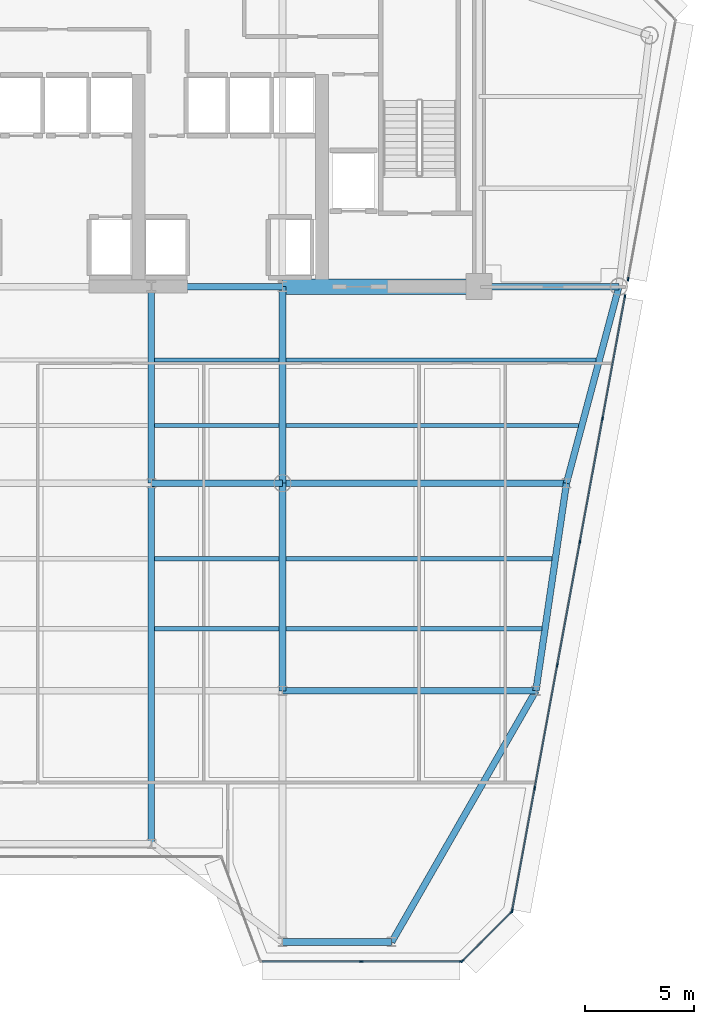
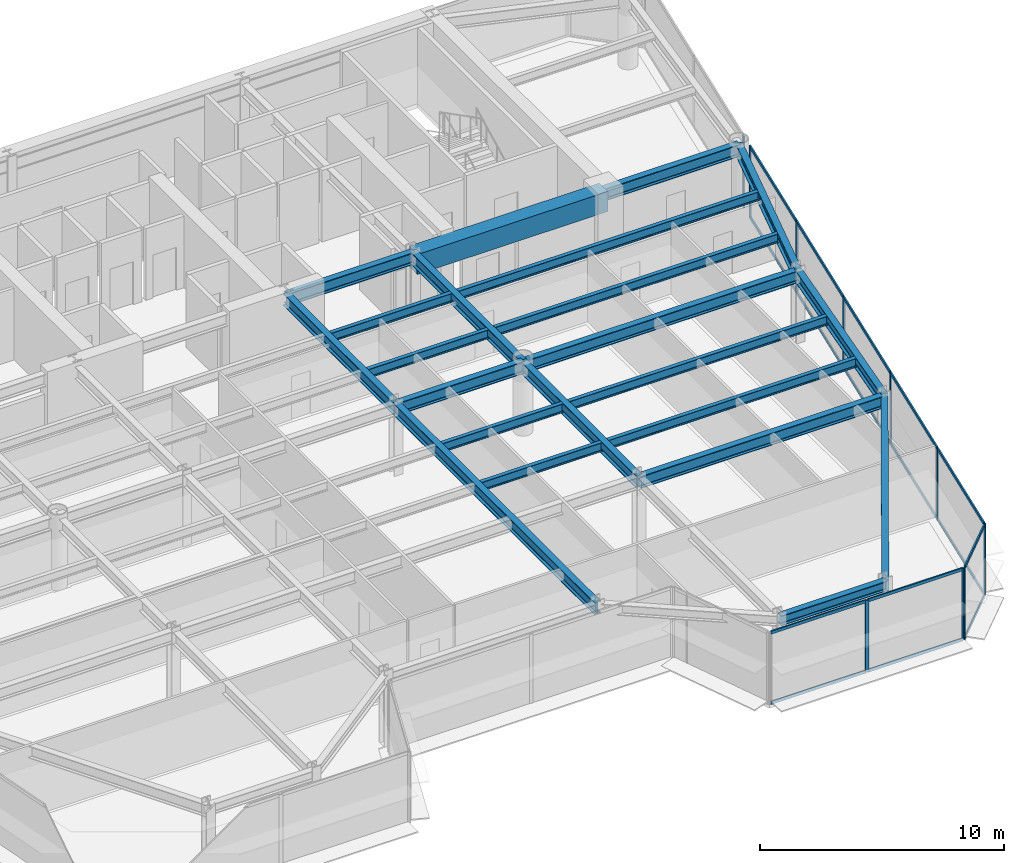
# One storey, part 6 of 16: 27 members, 22 beams, 4 elements without a shape of their own.
"""IFC4 building model written with IfcOpenShell, lengths in metres."""

from ifc_helpers import new_model, si_unit, direction, frame, origin, origin_2d, place, context, subcontext, project, spatial, rectangle, i_section, extrude, source, transform, mapped, material, layer, layer_set, material_profile, profile_set, type_object, element, aggregate, save


model = new_model("IFC4")

# Units and contexts
model_context = context("Model", 3, precision=1e-05, world=origin(), true_north=direction((0.0, 1.0)))
body_context = subcontext(model_context, "Body", "Model", "MODEL_VIEW")
ifc_project = project(units=[si_unit("LENGTHUNIT", "METRE"), si_unit("AREAUNIT", "SQUARE_METRE"), si_unit("VOLUMEUNIT", "CUBIC_METRE"), si_unit("PLANEANGLEUNIT", "RADIAN"), si_unit("MASSUNIT", "GRAM", prefix="KILO")], contexts=[model_context])

# Site, building, storey
site_placement = place(None, origin())
site = spatial("IfcSite", under=ifc_project, at=site_placement, CompositionType="ELEMENT")
building_placement = place(site_placement, origin())
building = spatial("IfcBuilding", under=site, at=building_placement, Name="Vaeldorn Concourse Tower", CompositionType="ELEMENT")
storey_placement = place(building_placement, frame((0.0, 0.0, 184.199951171875)))
storey = spatial("IfcBuildingStorey", under=building, at=storey_placement, Name="L47", CompositionType="ELEMENT", Elevation=184.199951171875)

# Beams
ifc_material_1 = material(Name="Concrete C50/60", Category="concrete")
ifc_material_profile_1 = material_profile(ifc_material_1, rectangle(XDim=0.699951171875, YDim=1.0, at=origin_2d()), Name="RC 700x1000")
ifc_profile_set_1 = profile_set([ifc_material_profile_1], Name="Concrete C50/60")
beam_type_1 = type_object("IfcBeamType", Name="BM-CB-RC700", PredefinedType="BEAM", material=ifc_profile_set_1)
shared_shape_1 = source(origin(), body_context, "Body", "SweptSolid", [
    extrude(rectangle(XDim=0.699951171875, YDim=1.0, at=origin_2d()), origin(), (0.0, 0.0, 1.0), 9.0),
])
beam_1_placement = place(storey_placement, frame((45.0, 36.5, 3.080078125), z_axis=(1.0, 0.0, 0.0), x_axis=(0.0, 1.0, 0.0)))
element("IfcBeam", 1, at=beam_1_placement, inside=storey, type_object=beam_type_1, Name="Core Coupling Beam L47-2", PredefinedType="BEAM", context=body_context, shape_type="MappedRepresentation", body=[
    mapped(shared_shape_1, transform((0.0, 0.0, 0.0), scale=1.0)),
])
ifc_material_2 = material(Name="Steel S355", Category="steel")
ifc_material_profile_2 = material_profile(ifc_material_2, i_section(OverallWidth=0.300048828125, OverallDepth=0.5, WebThickness=0.014404296875, FlangeThickness=0.028076171875, FilletRadius=0.027099609375, at=origin_2d()), Name="HEB 500")
ifc_profile_set_2 = profile_set([ifc_material_profile_2], Name="Steel S355")
beam_type_2 = type_object("IfcBeamType", Name="BM-SP-HEB500", PredefinedType="SPANDREL", material=ifc_profile_set_2)
shared_shape_2 = source(origin(), body_context, "Body", "SweptSolid", [
    extrude(i_section(OverallWidth=0.300048828125, OverallDepth=0.5, WebThickness=0.014404296875, FlangeThickness=0.028076171875, FilletRadius=0.027099609375, at=origin_2d()), origin(), (0.0, 0.0, 1.0), 5.0),
])
beam_2_placement = place(storey_placement, frame((45.0, 6.5, 3.330078125), z_axis=(1.0, 0.0, 0.0), x_axis=(0.0, 1.0, 0.0)))
element("IfcBeam", 2, at=beam_2_placement, inside=storey, type_object=beam_type_2, Name="Beam BM-L47-C-SF5-C-SF6", PredefinedType="SPANDREL", context=body_context, shape_type="MappedRepresentation", body=[
    mapped(shared_shape_2, transform((0.0, 0.0, 0.0), scale=1.0)),
])
ifc_material_profile_3 = material_profile(ifc_material_2, i_section(OverallWidth=0.18994140625, OverallDepth=0.449951171875, WebThickness=0.009521484375, FlangeThickness=0.0146484375, FilletRadius=0.02099609375, at=origin_2d()), Name="IPE 450")
ifc_profile_set_3 = profile_set([ifc_material_profile_3], Name="Steel S355")
beam_type_3 = type_object("IfcBeamType", Name="BM-JS-IPE450", PredefinedType="JOIST", material=ifc_profile_set_3)
shared_shape_3 = source(origin(), body_context, "Body", "SweptSolid", [
    extrude(i_section(OverallWidth=0.18994140625, OverallDepth=0.449951171875, WebThickness=0.009521484375, FlangeThickness=0.0146484375, FilletRadius=0.02099609375, at=origin_2d()), origin(), (0.0, 0.0, 1.0), 11.718505859375),
])
beam_3_placement = place(storey_placement, frame((45.14990234375, 20.840087890625, 3.35498046875), z_axis=(1.0, 0.0, 0.0), x_axis=(0.0, 1.0, 0.0)))
element("IfcBeam", 3, at=beam_3_placement, inside=storey, type_object=beam_type_3, Name="Beam JS-L47-E1-208", PredefinedType="JOIST", context=body_context, shape_type="MappedRepresentation", body=[
    mapped(shared_shape_3, transform((0.0, 0.0, 0.0), scale=1.0)),
])
shared_shape_4 = source(origin(), body_context, "Body", "SweptSolid", [
    extrude(i_section(OverallWidth=0.18994140625, OverallDepth=0.449951171875, WebThickness=0.009521484375, FlangeThickness=0.0146484375, FilletRadius=0.02099609375, at=origin_2d()), origin(), (0.0, 0.0, 1.0), 5.7001953125),
])
for number, where, z_axis, x_axis, name in (
    (4, (39.14990234375, 20.840087890625, 3.35498046875), (1.0, 0.0, 0.0), (0.0, 1.0, 0.0), "Beam JS-L47-E2-208"),
    (5, (39.14990234375, 24.0400390625, 3.35498046875), (1.0, 0.0, 0.0), (0.0, 1.0, 0.0), "Beam JS-L47-E2-240"),
    (6, (39.14990234375, 30.139892578125, 3.35498046875), (1.0, 0.0, 0.0), (0.0, 1.0, 0.0), "Beam JS-L47-E2-301"),
    (7, (39.14990234375, 33.139892578125, 3.35498046875), (1.0, 0.0, 0.0), (0.0, 1.0, 0.0), "Beam JS-L47-E2-331"),
):
    element("IfcBeam", number, at=place(storey_placement, frame(where, z_axis=z_axis, x_axis=x_axis)), inside=storey, type_object=beam_type_3, Name=name, PredefinedType="JOIST", context=body_context, shape_type="MappedRepresentation", body=[
        mapped(shared_shape_4, transform((0.0, 0.0, 0.0), scale=1.0)),
    ])
shared_shape_5 = source(origin(), body_context, "Body", "SweptSolid", [
    extrude(i_section(OverallWidth=0.18994140625, OverallDepth=0.449951171875, WebThickness=0.009521484375, FlangeThickness=0.0146484375, FilletRadius=0.02099609375, at=origin_2d()), origin(), (0.0, 0.0, 1.0), 12.190185546875),
])
beam_4_placement = place(storey_placement, frame((45.14990234375, 24.0400390625, 3.35498046875), z_axis=(1.0, 0.0, 0.0), x_axis=(0.0, 1.0, 0.0)))
element("IfcBeam", 8, at=beam_4_placement, inside=storey, type_object=beam_type_3, Name="Beam JS-L47-E1-240", PredefinedType="JOIST", context=body_context, shape_type="MappedRepresentation", body=[
    mapped(shared_shape_5, transform((0.0, 0.0, 0.0), scale=1.0)),
])
shared_shape_6 = source(origin(), body_context, "Body", "SweptSolid", [
    extrude(i_section(OverallWidth=0.18994140625, OverallDepth=0.449951171875, WebThickness=0.009521484375, FlangeThickness=0.0146484375, FilletRadius=0.02099609375, at=origin_2d()), origin(), (0.0, 0.0, 1.0), 13.404052734375),
])
beam_5_placement = place(storey_placement, frame((45.14990234375, 30.139892578125, 3.35498046875), z_axis=(1.0, 0.0, 0.0), x_axis=(0.0, 1.0, 0.0)))
element("IfcBeam", 9, at=beam_5_placement, inside=storey, type_object=beam_type_3, Name="Beam JS-L47-E1-301", PredefinedType="JOIST", context=body_context, shape_type="MappedRepresentation", body=[
    mapped(shared_shape_6, transform((0.0, 0.0, 0.0), scale=1.0)),
])
shared_shape_7 = source(origin(), body_context, "Body", "SweptSolid", [
    extrude(i_section(OverallWidth=0.18994140625, OverallDepth=0.449951171875, WebThickness=0.009521484375, FlangeThickness=0.0146484375, FilletRadius=0.02099609375, at=origin_2d()), origin(), (0.0, 0.0, 1.0), 14.2041015625),
])
beam_6_placement = place(storey_placement, frame((45.14990234375, 33.139892578125, 3.35498046875), z_axis=(1.0, 0.0, 0.0), x_axis=(0.0, 1.0, 0.0)))
element("IfcBeam", 10, at=beam_6_placement, inside=storey, type_object=beam_type_3, Name="Beam JS-L47-E1-331", PredefinedType="JOIST", context=body_context, shape_type="MappedRepresentation", body=[
    mapped(shared_shape_7, transform((0.0, 0.0, 0.0), scale=1.0)),
])
ifc_material_profile_4 = material_profile(ifc_material_2, i_section(OverallWidth=0.300048828125, OverallDepth=0.60009765625, WebThickness=0.015380859375, FlangeThickness=0.030029296875, FilletRadius=0.027099609375, at=origin_2d()), Name="HEB 600")
ifc_profile_set_4 = profile_set([ifc_material_profile_4], Name="Steel S355")
beam_type_4 = type_object("IfcBeamType", Name="BM-PG-HEB600", PredefinedType="BEAM", material=ifc_profile_set_4)
shared_shape_8 = source(origin(), body_context, "Body", "SweptSolid", [
    extrude(i_section(OverallWidth=0.300048828125, OverallDepth=0.60009765625, WebThickness=0.015380859375, FlangeThickness=0.030029296875, FilletRadius=0.027099609375, at=origin_2d()), origin(), (0.0, 0.0, 1.0), 6.0),
])
for number, where, z_axis, x_axis, name in (
    (11, (39.0, 36.5, 3.280029296875), (1.0, 0.0, 0.0), (0.0, 1.0, 0.0), "Beam BM-L47-C-FC4-C-FC5"),
    (12, (39.0, 27.5, 3.280029296875), (1.0, 0.0, 0.0), (0.0, 1.0, 0.0), "Beam BM-L47-C-TW3-C-TW4"),
):
    element("IfcBeam", number, at=place(storey_placement, frame(where, z_axis=z_axis, x_axis=x_axis)), inside=storey, type_object=beam_type_4, Name=name, PredefinedType="BEAM", context=body_context, shape_type="MappedRepresentation", body=[
        mapped(shared_shape_8, transform((0.0, 0.0, 0.0), scale=1.0)),
    ])
shared_shape_9 = source(origin(), body_context, "Body", "SweptSolid", [
    extrude(i_section(OverallWidth=0.300048828125, OverallDepth=0.60009765625, WebThickness=0.015380859375, FlangeThickness=0.030029296875, FilletRadius=0.027099609375, at=origin_2d()), origin(), (0.0, 0.0, 1.0), 9.0),
])
for number, where, z_axis, x_axis, name in (
    (13, (39.0, 27.5, 3.280029296875), (0.0, 1.0, 0.0), (-1.0, 0.0, 0.0), "Beam BM-L47-C-TW3-C-FC4"),
    (14, (45.0, 27.5, 3.280029296875), (0.0, 1.0, 0.0), (-1.0, 0.0, 0.0), "Beam BM-L47-C-TW4-C-FC5"),
):
    element("IfcBeam", number, at=place(storey_placement, frame(where, z_axis=z_axis, x_axis=x_axis)), inside=storey, type_object=beam_type_4, Name=name, PredefinedType="BEAM", context=body_context, shape_type="MappedRepresentation", body=[
        mapped(shared_shape_9, transform((0.0, 0.0, 0.0), scale=1.0)),
    ])
shared_shape_10 = source(origin(), body_context, "Body", "SweptSolid", [
    extrude(i_section(OverallWidth=0.300048828125, OverallDepth=0.60009765625, WebThickness=0.015380859375, FlangeThickness=0.030029296875, FilletRadius=0.027099609375, at=origin_2d()), origin(), (0.0, 0.0, 1.0), 6.39990234375),
])
beam_7_placement = place(storey_placement, frame((54.0, 36.5, 3.280029296875), z_axis=(1.0, 0.0, 0.0), x_axis=(0.0, 1.0, 0.0)))
element("IfcBeam", 15, at=beam_7_placement, inside=storey, type_object=beam_type_4, Name="Beam BM-L47-C-FC6-C-NE2", PredefinedType="BEAM", context=body_context, shape_type="MappedRepresentation", body=[
    mapped(shared_shape_10, transform((0.0, 0.0, 0.0), scale=1.0)),
])
shared_shape_11 = source(origin(), body_context, "Body", "SweptSolid", [
    extrude(i_section(OverallWidth=0.300048828125, OverallDepth=0.60009765625, WebThickness=0.015380859375, FlangeThickness=0.030029296875, FilletRadius=0.027099609375, at=origin_2d()), origin(), (0.0, 0.0, 1.0), 9.314453125),
])
beam_8_placement = place(storey_placement, frame((60.39990234375, 36.5, 3.280029296875), z_axis=(-0.257652862255, -0.966237549763, 0.0), x_axis=(0.966237549763, -0.257652862255, 0.0)))
element("IfcBeam", 16, at=beam_8_placement, inside=storey, type_object=beam_type_4, Name="Beam BM-L47-C-NE2-C-FLE1", PredefinedType="BEAM", context=body_context, shape_type="MappedRepresentation", body=[
    mapped(shared_shape_11, transform((0.0, 0.0, 0.0), scale=1.0)),
])
shared_shape_12 = source(origin(), body_context, "Body", "SweptSolid", [
    extrude(i_section(OverallWidth=0.300048828125, OverallDepth=0.60009765625, WebThickness=0.015380859375, FlangeThickness=0.030029296875, FilletRadius=0.027099609375, at=origin_2d()), origin(), (0.0, 0.0, 1.0), 13.0),
])
beam_9_placement = place(storey_placement, frame((45.0, 27.5, 3.280029296875), z_axis=(1.0, 0.0, 0.0), x_axis=(0.0, 1.0, 0.0)))
element("IfcBeam", 17, at=beam_9_placement, inside=storey, type_object=beam_type_4, Name="Beam BM-L47-C-TW4-C-FLE1", PredefinedType="BEAM", context=body_context, shape_type="MappedRepresentation", body=[
    mapped(shared_shape_12, transform((0.0, 0.0, 0.0), scale=1.0)),
])
shared_shape_13 = source(origin(), body_context, "Body", "SweptSolid", [
    extrude(i_section(OverallWidth=0.300048828125, OverallDepth=0.60009765625, WebThickness=0.015380859375, FlangeThickness=0.030029296875, FilletRadius=0.027099609375, at=origin_2d()), origin(), (0.0, 0.0, 1.0), 9.6025390625),
])
beam_10_placement = place(storey_placement, frame((58.0, 27.5, 3.280029296875), z_axis=(-0.145783835977, -0.989316467652, 0.0), x_axis=(0.989316467652, -0.145783835977, 0.0)))
element("IfcBeam", 18, at=beam_10_placement, inside=storey, type_object=beam_type_4, Name="Beam BM-L47-C-FLE1-C-FLE2", PredefinedType="BEAM", context=body_context, shape_type="MappedRepresentation", body=[
    mapped(shared_shape_13, transform((0.0, 0.0, 0.0), scale=1.0)),
])
shared_shape_14 = source(origin(), body_context, "Body", "SweptSolid", [
    extrude(i_section(OverallWidth=0.300048828125, OverallDepth=0.60009765625, WebThickness=0.015380859375, FlangeThickness=0.030029296875, FilletRadius=0.027099609375, at=origin_2d()), origin(), (0.0, 0.0, 1.0), 11.60009765625),
])
beam_11_placement = place(storey_placement, frame((45.0, 18.0, 3.280029296875), z_axis=(1.0, 0.0, 0.0), x_axis=(0.0, 1.0, 0.0)))
element("IfcBeam", 19, at=beam_11_placement, inside=storey, type_object=beam_type_4, Name="Beam BM-L47-C-TW6-C-FLE2", PredefinedType="BEAM", context=body_context, shape_type="MappedRepresentation", body=[
    mapped(shared_shape_14, transform((0.0, 0.0, 0.0), scale=1.0)),
])
shared_shape_15 = source(origin(), body_context, "Body", "SweptSolid", [
    extrude(i_section(OverallWidth=0.300048828125, OverallDepth=0.60009765625, WebThickness=0.015380859375, FlangeThickness=0.030029296875, FilletRadius=0.027099609375, at=origin_2d()), origin(), (0.0, 0.0, 1.0), 9.5),
])
beam_12_placement = place(storey_placement, frame((45.0, 18.0, 3.280029296875), z_axis=(0.0, 1.0, 0.0), x_axis=(-1.0, 0.0, 0.0)))
element("IfcBeam", 20, at=beam_12_placement, inside=storey, type_object=beam_type_4, Name="Beam BM-L47-C-TW6-C-TW4", PredefinedType="BEAM", context=body_context, shape_type="MappedRepresentation", body=[
    mapped(shared_shape_15, transform((0.0, 0.0, 0.0), scale=1.0)),
])
shared_shape_16 = source(origin(), body_context, "Body", "SweptSolid", [
    extrude(i_section(OverallWidth=0.300048828125, OverallDepth=0.60009765625, WebThickness=0.015380859375, FlangeThickness=0.030029296875, FilletRadius=0.027099609375, at=origin_2d()), origin(), (0.0, 0.0, 1.0), 13.25927734375),
])
beam_13_placement = place(storey_placement, frame((50.0, 6.5, 3.280029296875), z_axis=(0.497768009943, 0.867310214558, 0.0), x_axis=(-0.867310214558, 0.497768009943, 0.0)))
element("IfcBeam", 21, at=beam_13_placement, inside=storey, type_object=beam_type_4, Name="Beam BM-L47-C-SF6-C-FLE2", PredefinedType="BEAM", context=body_context, shape_type="MappedRepresentation", body=[
    mapped(shared_shape_16, transform((0.0, 0.0, 0.0), scale=1.0)),
])
shared_shape_17 = source(origin(), body_context, "Body", "SweptSolid", [
    extrude(i_section(OverallWidth=0.300048828125, OverallDepth=0.60009765625, WebThickness=0.015380859375, FlangeThickness=0.030029296875, FilletRadius=0.027099609375, at=origin_2d()), origin(), (0.0, 0.0, 1.0), 16.5),
])
beam_14_placement = place(storey_placement, frame((39.0, 11.0, 3.280029296875), z_axis=(0.0, 1.0, 0.0), x_axis=(-1.0, 0.0, 0.0)))
element("IfcBeam", 22, at=beam_14_placement, inside=storey, type_object=beam_type_4, Name="Beam BM-L47-C-SF4-C-TW3", PredefinedType="BEAM", context=body_context, shape_type="MappedRepresentation", body=[
    mapped(shared_shape_17, transform((0.0, 0.0, 0.0), scale=1.0)),
])

# Curtain wall, members
ifc_material_3 = material(Name="Anodised Bronze Aluminium", Category="aluminium")
ifc_layer = layer(ifc_material_3, 0.18994140625)
ifc_layer_set = layer_set([ifc_layer], Name="Anodised Bronze Aluminium")
curtain_wall_type = type_object("IfcCurtainWallType", Name="CW-SYS-03", PredefinedType="NOTDEFINED", material=ifc_layer_set)
curtain_wall_1_placement = place(storey_placement, origin())
curtain_wall_1 = element("IfcCurtainWall", 23, at=curtain_wall_1_placement, inside=storey, type_object=curtain_wall_type, Name="Unitised Curtain Wall CW-L47-E05-1", PredefinedType="NOTDEFINED")
ifc_material_profile_5 = material_profile(ifc_material_3, rectangle(XDim=0.06494140625, YDim=0.169921875, at=origin_2d()), Name="CWM 65x170")
ifc_profile_set_5 = profile_set([ifc_material_profile_5], Name="Anodised Bronze Aluminium")
member_type_1 = type_object("IfcMemberType", Name="CWM-BRONZE-170", PredefinedType="MULLION", material=ifc_profile_set_5)
shared_shape_18 = source(origin(), body_context, "Body", "SweptSolid", [
    extrude(rectangle(XDim=0.06494140625, YDim=0.169921875, at=origin_2d()), origin(), (0.0, 0.0, 1.0), 3.580078125),
])
member_1_placement = place(storey_placement, frame((48.6044921875, 5.60009765625, 0.0), z_axis=(0.0, 0.0, 1.0), x_axis=(0.0, 1.0, 0.0)))
member_1 = element("IfcMember", 24, at=member_1_placement, type_object=member_type_1, Name="CW-03 mullion 2", PredefinedType="MULLION", context=body_context, shape_type="MappedRepresentation", body=[
    mapped(shared_shape_18, transform((0.0, 0.0, 0.0), scale=1.0)),
])
member_2_placement = place(storey_placement, frame((53.176513671875, 5.60009765625, 0.0), z_axis=(0.0, 0.0, 1.0), x_axis=(0.0, 1.0, 0.0)))
member_2 = element("IfcMember", 25, at=member_2_placement, type_object=member_type_1, Name="CW-03 mullion 3", PredefinedType="MULLION", context=body_context, shape_type="MappedRepresentation", body=[
    mapped(shared_shape_18, transform((0.0, 0.0, 0.0), scale=1.0)),
])

curtain_wall_2_placement = place(storey_placement, origin())
curtain_wall_2 = element("IfcCurtainWall", 26, at=curtain_wall_2_placement, inside=storey, type_object=curtain_wall_type, Name="Unitised Curtain Wall CW-L47-E06-1", PredefinedType="NOTDEFINED")
member_3_placement = place(storey_placement, frame((53.23193359375, 5.623046875, 0.0), z_axis=(0.0, 0.0, 1.0), x_axis=(-0.707106781187, 0.707106781187, 0.0)))
member_3 = element("IfcMember", 27, at=member_3_placement, type_object=member_type_1, Name="CW-03 mullion 1", PredefinedType="MULLION", context=body_context, shape_type="MappedRepresentation", body=[
    mapped(shared_shape_18, transform((0.0, 0.0, 0.0), scale=1.0)),
])
member_4_placement = place(storey_placement, frame((55.486083984375, 7.876953125, 0.0), z_axis=(0.0, 0.0, 1.0), x_axis=(-0.707106781187, 0.707106781187, 0.0)))
member_4 = element("IfcMember", 28, at=member_4_placement, type_object=member_type_1, Name="CW-03 mullion 2", PredefinedType="MULLION", context=body_context, shape_type="MappedRepresentation", body=[
    mapped(shared_shape_18, transform((0.0, 0.0, 0.0), scale=1.0)),
])

curtain_wall_3_placement = place(storey_placement, origin())
curtain_wall_3 = element("IfcCurtainWall", 29, at=curtain_wall_3_placement, inside=storey, type_object=curtain_wall_type, Name="Unitised Curtain Wall CW-L47-E07-1", PredefinedType="NOTDEFINED")
member_5_placement = place(storey_placement, frame((55.514892578125, 7.931884765625, 0.0), z_axis=(0.0, 0.0, 1.0), x_axis=(-0.983559325018, 0.180585309951, 0.0)))
member_5 = element("IfcMember", 30, at=member_5_placement, type_object=member_type_1, Name="CW-03 mullion 1", PredefinedType="MULLION", context=body_context, shape_type="MappedRepresentation", body=[
    mapped(shared_shape_18, transform((0.0, 0.0, 0.0), scale=1.0)),
])
member_6_placement = place(storey_placement, frame((56.5439453125, 13.53662109375, 0.0), z_axis=(0.0, 0.0, 1.0), x_axis=(-0.983559325018, 0.180585309951, 0.0)))
member_6 = element("IfcMember", 31, at=member_6_placement, type_object=member_type_1, Name="CW-03 mullion 2", PredefinedType="MULLION", context=body_context, shape_type="MappedRepresentation", body=[
    mapped(shared_shape_18, transform((0.0, 0.0, 0.0), scale=1.0)),
])
member_7_placement = place(storey_placement, frame((57.578857421875, 19.17333984375, 0.0), z_axis=(0.0, 0.0, 1.0), x_axis=(-0.983559325018, 0.180585309951, 0.0)))
member_7 = element("IfcMember", 32, at=member_7_placement, type_object=member_type_1, Name="CW-03 mullion 3", PredefinedType="MULLION", context=body_context, shape_type="MappedRepresentation", body=[
    mapped(shared_shape_18, transform((0.0, 0.0, 0.0), scale=1.0)),
])
member_8_placement = place(storey_placement, frame((58.61376953125, 24.81005859375, 0.0), z_axis=(0.0, 0.0, 1.0), x_axis=(-0.983559325018, 0.180585309951, 0.0)))
member_8 = element("IfcMember", 33, at=member_8_placement, type_object=member_type_1, Name="CW-03 mullion 4", PredefinedType="MULLION", context=body_context, shape_type="MappedRepresentation", body=[
    mapped(shared_shape_18, transform((0.0, 0.0, 0.0), scale=1.0)),
])
member_9_placement = place(storey_placement, frame((59.648681640625, 30.44677734375, 0.0), z_axis=(0.0, 0.0, 1.0), x_axis=(-0.983559325018, 0.180585309951, 0.0)))
member_9 = element("IfcMember", 34, at=member_9_placement, type_object=member_type_1, Name="CW-03 mullion 5", PredefinedType="MULLION", context=body_context, shape_type="MappedRepresentation", body=[
    mapped(shared_shape_18, transform((0.0, 0.0, 0.0), scale=1.0)),
])
member_10_placement = place(storey_placement, frame((60.677734375, 36.051513671875, 0.0), z_axis=(0.0, 0.0, 1.0), x_axis=(-0.983559325018, 0.180585309951, 0.0)))
member_10 = element("IfcMember", 35, at=member_10_placement, type_object=member_type_1, Name="CW-03 mullion 6", PredefinedType="MULLION", context=body_context, shape_type="MappedRepresentation", body=[
    mapped(shared_shape_18, transform((0.0, 0.0, 0.0), scale=1.0)),
])

# Curtain wall, member
curtain_wall_4_placement = place(storey_placement, origin())
curtain_wall_4 = element("IfcCurtainWall", 36, at=curtain_wall_4_placement, inside=storey, type_object=curtain_wall_type, Name="Unitised Curtain Wall CW-L47-E07-2", PredefinedType="NOTDEFINED")
member_11_placement = place(storey_placement, frame((60.822265625, 36.83935546875, 0.0), z_axis=(0.0, 0.0, 1.0), x_axis=(-0.983559459619, 0.180584576845, 0.0)))
member_11 = element("IfcMember", 37, at=member_11_placement, type_object=member_type_1, Name="CW-03 mullion 1", PredefinedType="MULLION", context=body_context, shape_type="MappedRepresentation", body=[
    mapped(shared_shape_18, transform((0.0, 0.0, 0.0), scale=1.0)),
])
aggregate(curtain_wall_4, [member_11])

# Member
ifc_material_profile_6 = material_profile(ifc_material_3, rectangle(XDim=0.06494140625, YDim=0.14990234375, at=origin_2d()), Name="CWT 65x150")
ifc_profile_set_6 = profile_set([ifc_material_profile_6], Name="Anodised Bronze Aluminium")
member_type_2 = type_object("IfcMemberType", Name="CWT-BRONZE-150", PredefinedType="USERDEFINED", material=ifc_profile_set_6)
shared_shape_19 = source(origin(), body_context, "Body", "SweptSolid", [
    extrude(rectangle(XDim=0.06494140625, YDim=0.14990234375, at=origin_2d()), origin(), (0.0, 0.0, 1.0), 3.122802734375),
])
member_12_placement = place(storey_placement, frame((53.2548828125, 5.64599609375, 0.032470703125), z_axis=(0.707145870536, 0.707067689676, 0.0), x_axis=(-0.707067689676, 0.707145870536, 0.0)))
member_12 = element("IfcMember", 38, at=member_12_placement, type_object=member_type_2, Name="CW-03 transom 1.1", ObjectType="TRANSOM", PredefinedType="USERDEFINED", context=body_context, shape_type="MappedRepresentation", body=[
    mapped(shared_shape_19, transform((0.0, 0.0, 0.0), scale=1.0)),
])

member_13_placement = place(storey_placement, frame((53.2548828125, 5.64599609375, 3.547607421875), z_axis=(0.707145870536, 0.707067689676, 0.0), x_axis=(-0.707067689676, 0.707145870536, 0.0)))
member_13 = element("IfcMember", 39, at=member_13_placement, type_object=member_type_2, Name="CW-03 transom 1.2", ObjectType="TRANSOM", PredefinedType="USERDEFINED", context=body_context, shape_type="MappedRepresentation", body=[
    mapped(shared_shape_19, transform((0.0, 0.0, 0.0), scale=1.0)),
])

aggregate(curtain_wall_2, [member_3, member_4, member_12, member_13])

shared_shape_20 = source(origin(), body_context, "Body", "SweptSolid", [
    extrude(rectangle(XDim=0.06494140625, YDim=0.14990234375, at=origin_2d()), origin(), (0.0, 0.0, 1.0), 5.63330078125),
])
member_14_placement = place(storey_placement, frame((55.520751953125, 7.9638671875, 0.032470703125), z_axis=(0.180589917692, 0.983558479008, 0.0), x_axis=(-0.983558479008, 0.180589917692, 0.0)))
member_14 = element("IfcMember", 40, at=member_14_placement, type_object=member_type_2, Name="CW-03 transom 1.1", ObjectType="TRANSOM", PredefinedType="USERDEFINED", context=body_context, shape_type="MappedRepresentation", body=[
    mapped(shared_shape_20, transform((0.0, 0.0, 0.0), scale=1.0)),
])

member_15_placement = place(storey_placement, frame((55.520751953125, 7.9638671875, 3.547607421875), z_axis=(0.180589917692, 0.983558479008, 0.0), x_axis=(-0.983558479008, 0.180589917692, 0.0)))
member_15 = element("IfcMember", 41, at=member_15_placement, type_object=member_type_2, Name="CW-03 transom 1.2", ObjectType="TRANSOM", PredefinedType="USERDEFINED", context=body_context, shape_type="MappedRepresentation", body=[
    mapped(shared_shape_20, transform((0.0, 0.0, 0.0), scale=1.0)),
])

member_16_placement = place(storey_placement, frame((59.654541015625, 30.478759765625, 0.032470703125), z_axis=(0.180589917692, 0.983558479008, 0.0), x_axis=(-0.983558479008, 0.180589917692, 0.0)))
member_16 = element("IfcMember", 42, at=member_16_placement, type_object=member_type_2, Name="CW-03 transom 5.1", ObjectType="TRANSOM", PredefinedType="USERDEFINED", context=body_context, shape_type="MappedRepresentation", body=[
    mapped(shared_shape_20, transform((0.0, 0.0, 0.0), scale=1.0)),
])

member_17_placement = place(storey_placement, frame((59.654541015625, 30.478759765625, 3.547607421875), z_axis=(0.180589917692, 0.983558479008, 0.0), x_axis=(-0.983558479008, 0.180589917692, 0.0)))
member_17 = element("IfcMember", 43, at=member_17_placement, type_object=member_type_2, Name="CW-03 transom 5.2", ObjectType="TRANSOM", PredefinedType="USERDEFINED", context=body_context, shape_type="MappedRepresentation", body=[
    mapped(shared_shape_20, transform((0.0, 0.0, 0.0), scale=1.0)),
])

shared_shape_21 = source(origin(), body_context, "Body", "SweptSolid", [
    extrude(rectangle(XDim=0.06494140625, YDim=0.14990234375, at=origin_2d()), origin(), (0.0, 0.0, 1.0), 5.666015625),
])
member_18_placement = place(storey_placement, frame((56.5498046875, 13.568603515625, 0.032470703125), z_axis=(0.180587719149, 0.983558882677, 0.0), x_axis=(-0.983558882677, 0.180587719149, 0.0)))
member_18 = element("IfcMember", 44, at=member_18_placement, type_object=member_type_2, Name="CW-03 transom 2.1", ObjectType="TRANSOM", PredefinedType="USERDEFINED", context=body_context, shape_type="MappedRepresentation", body=[
    mapped(shared_shape_21, transform((0.0, 0.0, 0.0), scale=1.0)),
])

member_19_placement = place(storey_placement, frame((56.5498046875, 13.568603515625, 3.547607421875), z_axis=(0.180587719149, 0.983558882677, 0.0), x_axis=(-0.983558882677, 0.180587719149, 0.0)))
member_19 = element("IfcMember", 45, at=member_19_placement, type_object=member_type_2, Name="CW-03 transom 2.2", ObjectType="TRANSOM", PredefinedType="USERDEFINED", context=body_context, shape_type="MappedRepresentation", body=[
    mapped(shared_shape_21, transform((0.0, 0.0, 0.0), scale=1.0)),
])

member_20_placement = place(storey_placement, frame((57.584716796875, 19.205322265625, 0.032470703125), z_axis=(0.180587719149, 0.983558882677, 0.0), x_axis=(-0.983558882677, 0.180587719149, 0.0)))
member_20 = element("IfcMember", 46, at=member_20_placement, type_object=member_type_2, Name="CW-03 transom 3.1", ObjectType="TRANSOM", PredefinedType="USERDEFINED", context=body_context, shape_type="MappedRepresentation", body=[
    mapped(shared_shape_21, transform((0.0, 0.0, 0.0), scale=1.0)),
])

member_21_placement = place(storey_placement, frame((57.584716796875, 19.205322265625, 3.547607421875), z_axis=(0.180587719149, 0.983558882677, 0.0), x_axis=(-0.983558882677, 0.180587719149, 0.0)))
member_21 = element("IfcMember", 47, at=member_21_placement, type_object=member_type_2, Name="CW-03 transom 3.2", ObjectType="TRANSOM", PredefinedType="USERDEFINED", context=body_context, shape_type="MappedRepresentation", body=[
    mapped(shared_shape_21, transform((0.0, 0.0, 0.0), scale=1.0)),
])

member_22_placement = place(storey_placement, frame((58.61962890625, 24.842041015625, 0.032470703125), z_axis=(0.180587719149, 0.983558882677, 0.0), x_axis=(-0.983558882677, 0.180587719149, 0.0)))
member_22 = element("IfcMember", 48, at=member_22_placement, type_object=member_type_2, Name="CW-03 transom 4.1", ObjectType="TRANSOM", PredefinedType="USERDEFINED", context=body_context, shape_type="MappedRepresentation", body=[
    mapped(shared_shape_21, transform((0.0, 0.0, 0.0), scale=1.0)),
])

member_23_placement = place(storey_placement, frame((58.61962890625, 24.842041015625, 3.547607421875), z_axis=(0.180587719149, 0.983558882677, 0.0), x_axis=(-0.983558882677, 0.180587719149, 0.0)))
member_23 = element("IfcMember", 49, at=member_23_placement, type_object=member_type_2, Name="CW-03 transom 4.2", ObjectType="TRANSOM", PredefinedType="USERDEFINED", context=body_context, shape_type="MappedRepresentation", body=[
    mapped(shared_shape_21, transform((0.0, 0.0, 0.0), scale=1.0)),
])

aggregate(curtain_wall_3, [member_5, member_6, member_7, member_8, member_9, member_10, member_14, member_15, member_18, member_19, member_20, member_21, member_22, member_23, member_16, member_17])

shared_shape_22 = source(origin(), body_context, "Body", "SweptSolid", [
    extrude(rectangle(XDim=0.06494140625, YDim=0.14990234375, at=origin_2d()), origin(), (0.0, 0.0, 1.0), 4.507080078125),
])
member_24_placement = place(storey_placement, frame((44.06494140625, 5.60009765625, 0.032470703125), z_axis=(1.0, 0.0, 0.0), x_axis=(0.0, 1.0, 0.0)))
member_24 = element("IfcMember", 50, at=member_24_placement, type_object=member_type_2, Name="CW-03 transom 1.1", ObjectType="TRANSOM", PredefinedType="USERDEFINED", context=body_context, shape_type="MappedRepresentation", body=[
    mapped(shared_shape_22, transform((0.0, 0.0, 0.0), scale=1.0)),
])

member_25_placement = place(storey_placement, frame((44.06494140625, 5.60009765625, 3.547607421875), z_axis=(1.0, 0.0, 0.0), x_axis=(0.0, 1.0, 0.0)))
member_25 = element("IfcMember", 51, at=member_25_placement, type_object=member_type_2, Name="CW-03 transom 1.2", ObjectType="TRANSOM", PredefinedType="USERDEFINED", context=body_context, shape_type="MappedRepresentation", body=[
    mapped(shared_shape_22, transform((0.0, 0.0, 0.0), scale=1.0)),
])

member_26_placement = place(storey_placement, frame((48.636962890625, 5.60009765625, 0.032470703125), z_axis=(1.0, 0.0, 0.0), x_axis=(0.0, 1.0, 0.0)))
member_26 = element("IfcMember", 52, at=member_26_placement, type_object=member_type_2, Name="CW-03 transom 2.1", ObjectType="TRANSOM", PredefinedType="USERDEFINED", context=body_context, shape_type="MappedRepresentation", body=[
    mapped(shared_shape_22, transform((0.0, 0.0, 0.0), scale=1.0)),
])

member_27_placement = place(storey_placement, frame((48.636962890625, 5.60009765625, 3.547607421875), z_axis=(1.0, 0.0, 0.0), x_axis=(0.0, 1.0, 0.0)))
member_27 = element("IfcMember", 53, at=member_27_placement, type_object=member_type_2, Name="CW-03 transom 2.2", ObjectType="TRANSOM", PredefinedType="USERDEFINED", context=body_context, shape_type="MappedRepresentation", body=[
    mapped(shared_shape_22, transform((0.0, 0.0, 0.0), scale=1.0)),
])

aggregate(curtain_wall_1, [member_1, member_2, member_24, member_25, member_26, member_27])

save(model, "model.ifc")
